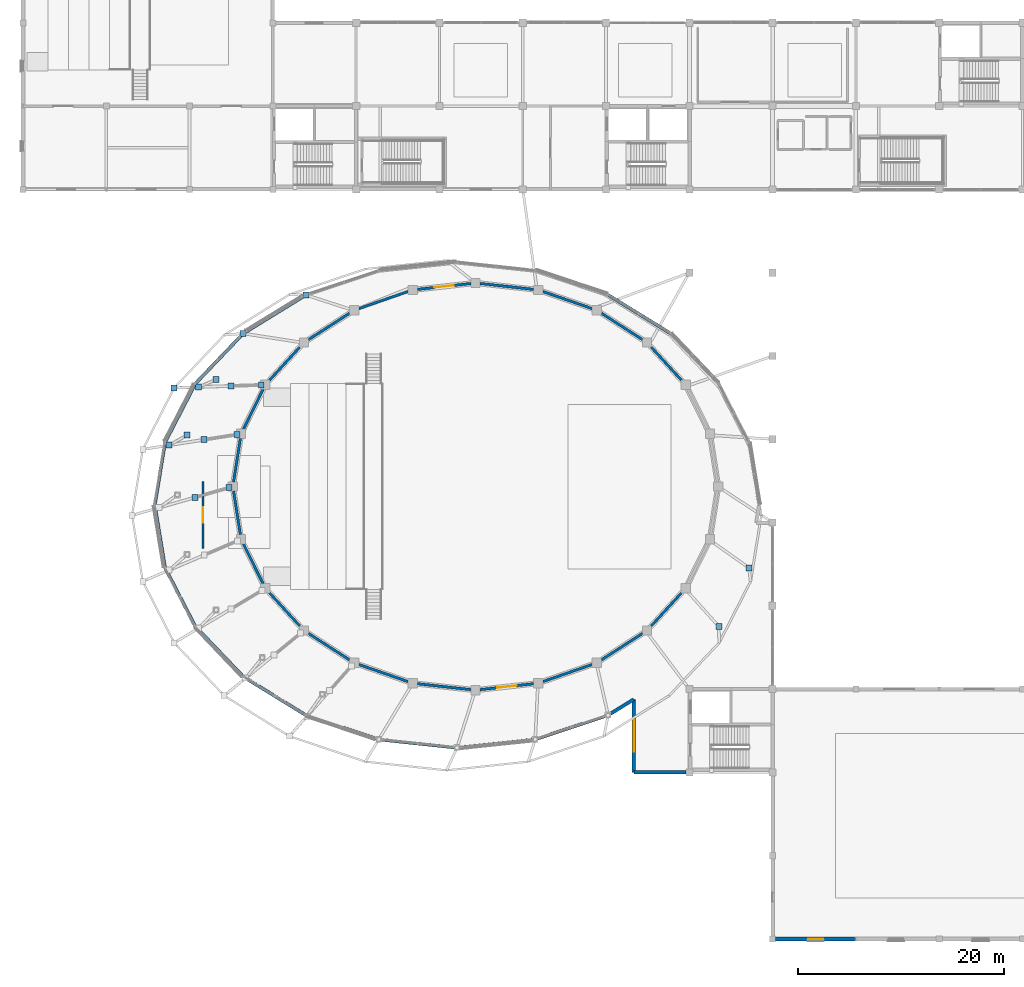
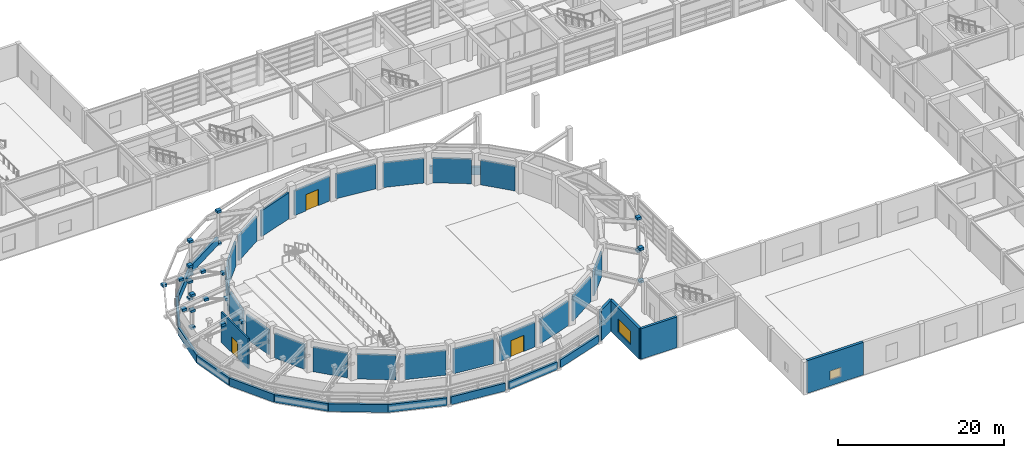
# One storey, part 36 of 56: 38 walls, 23 plates, 3 doors, 2 windows, 5 openings.
"""IFC4 building model written with IfcOpenShell, lengths in metres."""

from ifc_helpers import new_model, si_unit, direction, frame, frame_2d, origin, origin_2d, place, context, subcontext, project, spatial, rectangle, extrude, material, layer, layer_set, type_object, element, fill, save


model = new_model("IFC4")

# Units and contexts
model_context = context("Model", 3, precision=1e-05, world=origin(), true_north=direction((0.0, 1.0)))
body_context = subcontext(model_context, "Body", "Model", "MODEL_VIEW")
ifc_project = project(units=[si_unit("LENGTHUNIT", "METRE"), si_unit("AREAUNIT", "SQUARE_METRE"), si_unit("VOLUMEUNIT", "CUBIC_METRE"), si_unit("PLANEANGLEUNIT", "RADIAN"), si_unit("MASSUNIT", "GRAM", prefix="KILO")], contexts=[model_context])

# Site, building, storey
site_placement = place(None, origin())
site = spatial("IfcSite", under=ifc_project, at=site_placement, CompositionType="ELEMENT")
building_placement = place(site_placement, origin())
building = spatial("IfcBuilding", under=site, at=building_placement, Name="Parian Resonance Hall", CompositionType="ELEMENT")
storey_placement = place(building_placement, frame((0.0, 0.0, 5.39990234375)))
storey = spatial("IfcBuildingStorey", under=building, at=storey_placement, Name="L01", CompositionType="ELEMENT", Elevation=5.39990234375)

# Plates
ifc_material_1 = material(Name="Steel S355", Category="steel")
ifc_layer_1 = layer(ifc_material_1, 0.340087890625)
ifc_layer_set_1 = layer_set([ifc_layer_1], Name="Steel S355")
plate_type_1 = type_object("IfcPlateType", Name="PLT-CAP-500", PredefinedType="SHEET", material=ifc_layer_set_1)
for number, where, z_axis, x_axis, name in (
    (1, (15.9609375, 48.998046875, 2.3369140625), (0.0, 0.0, 1.0), (1.0, 0.0, 0.0), "Steel hollow-section node closure block 0042"),
    (2, (15.9609375, 48.998046875, 4.6298828125), (0.0, 0.0, 1.0), (1.0, 0.0, 0.0), "Steel hollow-section node closure block 0043"),
    (3, (17.60107421875, 48.556884765625, 3.68701171875), (0.0, 0.0, 1.0), (1.0, 0.0, 0.0), "Steel hollow-section node closure block 0052"),
    (4, (18.778076171875, 54.39990234375, -0.169921875), (0.0, 0.0, 1.0), (1.0, 0.0, 0.0), "Steel hollow-section node closure block 0060"),
    (5, (18.778076171875, 54.39990234375, 2.3369140625), (0.0, 0.0, 1.0), (1.0, 0.0, 0.0), "Steel hollow-section node closure block 0061"),
    (6, (20.014892578125, 43.889892578125, 2.3369140625), (0.0, 0.0, 1.0), (1.0, 0.0, 0.0), "Steel hollow-section node closure block 0070"),
    (7, (20.199951171875, 53.785888671875, 3.68701171875), (0.0, 0.0, 1.0), (1.0, 0.0, 0.0), "Steel hollow-section node closure block 0072"),
    (8, (20.80908203125, 49.06201171875, 2.3369140625), (0.0, 0.0, 1.0), (1.0, 0.0, 0.0), "Steel hollow-section node closure block 0075"),
    (9, (21.410888671875, 58.887939453125, -0.169921875), (0.0, 0.0, 1.0), (1.0, 0.0, 0.0), "Steel hollow-section node closure block 0079"),
    (10, (23.162109375, 53.885986328125, 2.3369140625), (0.0, 0.0, 1.0), (1.0, 0.0, 0.0), "Steel hollow-section node closure block 0084"),
    (11, (27.5, 62.637939453125, 4.6298828125), (0.0, 0.0, 1.0), (1.0, 0.0, 0.0), "Steel hollow-section node closure block 0108"),
    (12, (67.660888671875, 30.39990234375, -0.169921875), (0.0, 0.0, 1.0), (1.0, 0.0, 0.0), "Steel hollow-section node closure block 0274"),
    (13, (70.597900390625, 36.092041015625, -0.169921875), (0.0, 0.0, 1.0), (1.0, 0.0, 0.0), "Steel hollow-section node closure block 0277"),
):
    element("IfcPlate", number, at=place(storey_placement, frame(where, z_axis=z_axis, x_axis=x_axis)), inside=storey, type_object=plate_type_1, Name=name, PredefinedType="SHEET", context=body_context, shape_type="SweptSolid", body=[
        extrude(rectangle(XDim=0.580078125, YDim=0.580078125, at=origin_2d()), origin(), (0.0, 0.0, 1.0), 0.340087890625),
    ])
ifc_material_2 = material(Name="Steel S355", Category="steel")
ifc_layer_2 = layer(ifc_material_2, 0.360107421875)
ifc_layer_set_2 = layer_set([ifc_layer_2], Name="Steel S355")
plate_type_2 = type_object("IfcPlateType", Name="PLT-GUS-520", PredefinedType="USERDEFINED", material=ifc_layer_set_2)
for number, where, z_axis, x_axis, name in (
    (14, (14.208984375, 48.02294921875, 3.67724609375), (0.0, 0.0, 1.0), (1.0, 0.0, 0.0), "Steel hollow-section node closure block 0023"),
    (15, (14.699951171875, 53.60009765625, 3.67724609375), (0.0, 0.0, 1.0), (1.0, 0.0, 0.0), "Steel hollow-section node closure block 0026"),
    (16, (15.9609375, 48.998046875, -0.18017578125), (0.0, 0.0, 1.0), (1.0, 0.0, 0.0), "Steel hollow-section node closure block 0041"),
    (17, (16.719970703125, 42.948974609375, 3.67724609375), (0.0, 0.0, 1.0), (1.0, 0.0, 0.0), "Steel hollow-section node closure block 0047"),
    (18, (17.069091796875, 53.679931640625, 3.67724609375), (0.0, 0.0, 1.0), (1.0, 0.0, 0.0), "Steel hollow-section node closure block 0050"),
    (19, (18.778076171875, 54.39990234375, 4.6201171875), (0.0, 0.0, 1.0), (1.0, 0.0, 0.0), "Steel hollow-section node closure block 0062"),
    (20, (21.410888671875, 58.887939453125, 4.6201171875), (0.0, 0.0, 1.0), (1.0, 0.0, 0.0), "Steel hollow-section node closure block 0080"),
    (21, (27.5, 62.637939453125, -0.18017578125), (0.0, 0.0, 1.0), (1.0, 0.0, 0.0), "Steel hollow-section node closure block 0107"),
    (22, (67.660888671875, 30.39990234375, 4.6201171875), (0.0, 0.0, 1.0), (1.0, 0.0, 0.0), "Steel hollow-section node closure block 0275"),
    (23, (70.597900390625, 36.092041015625, 4.6201171875), (0.0, 0.0, 1.0), (1.0, 0.0, 0.0), "Steel hollow-section node closure block 0278"),
):
    element("IfcPlate", number, at=place(storey_placement, frame(where, z_axis=z_axis, x_axis=x_axis)), inside=storey, type_object=plate_type_2, Name=name, ObjectType="GUSSET PLATE", PredefinedType="USERDEFINED", context=body_context, shape_type="SweptSolid", body=[
        extrude(rectangle(XDim=0.580078125, YDim=0.580078125, at=origin_2d()), origin(), (0.0, 0.0, 1.0), 0.360107421875),
    ])

# Walls
ifc_material_3 = material(Name="Concrete C35/45 with white lime plaster and polychrome mosaic", Category="concrete")
ifc_layer_3 = layer(ifc_material_3, 0.320068359375)
ifc_layer_set_3 = layer_set([ifc_layer_3], Name="Concrete C35/45 with white lime plaster and polychrome mosaic")
wall_type_1 = type_object("IfcWallType", Name="EW-RING-320", PredefinedType="SOLIDWALL", material=ifc_layer_set_3)
wall_1_placement = place(storey_placement, frame((56.89990234375, 62.63818359375, 0.0), z_axis=(0.0, 0.0, 1.0), x_axis=(0.851449608459, -0.52443642537, 0.0)))
element("IfcWall", 24, at=wall_1_placement, inside=storey, type_object=wall_type_1, Name="Elliptical R1 mosaic spandrel wall 04", PredefinedType="SOLIDWALL", context=body_context, shape_type="SweptSolid", body=[
    extrude(rectangle(XDim=7.1513671875, YDim=0.320068359375, at=frame_2d((3.57568359375, 0.0))), origin(), (0.0, 0.0, 1.0), 1.150146484375),
])
wall_2_placement = place(storey_placement, frame((21.6396484375, 59.0283203125, 0.0), z_axis=(0.0, 0.0, 1.0), x_axis=(0.851422518295, 0.524480405106, 0.0)))
element("IfcWall", 25, at=wall_2_placement, inside=storey, type_object=wall_type_1, Name="Elliptical R1 mosaic spandrel wall 09", PredefinedType="SOLIDWALL", context=body_context, shape_type="SweptSolid", body=[
    extrude(rectangle(XDim=6.614501953125, YDim=0.320068359375, at=frame_2d((3.30712890625, 0.0))), origin(), (0.0, 0.0, 1.0), 1.150146484375),
])
wall_3_placement = place(storey_placement, frame((16.739013671875, 54.0, 0.0), z_axis=(0.0, 0.0, 1.0), x_axis=(0.690980079771, 0.722873799055, 0.0)))
element("IfcWall", 26, at=wall_3_placement, inside=storey, type_object=wall_type_1, Name="Elliptical R1 mosaic spandrel wall 10", PredefinedType="SOLIDWALL", context=body_context, shape_type="SweptSolid", body=[
    extrude(rectangle(XDim=6.4453125, YDim=0.320068359375, at=frame_2d((3.22265625, 0.0))), origin(), (0.0, 0.0, 1.0), 1.150146484375),
])
wall_4_placement = place(storey_placement, frame((13.8017578125, 48.30810546875, 0.0), z_axis=(0.0, 0.0, 1.0), x_axis=(0.458581750342, 0.888652225707, 0.0)))
element("IfcWall", 27, at=wall_4_placement, inside=storey, type_object=wall_type_1, Name="Elliptical R1 mosaic spandrel wall 11", PredefinedType="SOLIDWALL", context=body_context, shape_type="SweptSolid", body=[
    extrude(rectangle(XDim=6.405029296875, YDim=0.320068359375, at=frame_2d((3.20263671875, 0.0))), origin(), (0.0, 0.0, 1.0), 1.150146484375),
])
for number, where, z_axis, x_axis, name in (
    (28, (12.800048828125, 42.199951171875, 0.0), (0.0, 0.0, 1.0), (0.161833587027, 0.986818063328, 0.0), "Elliptical R1 mosaic spandrel wall 12"),
    (29, (13.8017578125, 36.091796875, 0.0), (0.0, 0.0, 1.0), (-0.161833587027, 0.986818063328, 0.0), "Elliptical R1 mosaic spandrel wall 13"),
):
    element("IfcWall", number, at=place(storey_placement, frame(where, z_axis=z_axis, x_axis=x_axis)), inside=storey, type_object=wall_type_1, Name=name, PredefinedType="SOLIDWALL", context=body_context, shape_type="SweptSolid", body=[
        extrude(rectangle(XDim=6.189697265625, YDim=0.320068359375, at=frame_2d((3.0947265625, 0.0))), origin(), (0.0, 0.0, 1.0), 1.150146484375),
    ])
wall_5_placement = place(storey_placement, frame((16.739013671875, 30.39990234375, 0.0), z_axis=(0.0, 0.0, 1.0), x_axis=(-0.458581750342, 0.888652225707, 0.0)))
element("IfcWall", 30, at=wall_5_placement, inside=storey, type_object=wall_type_1, Name="Elliptical R1 mosaic spandrel wall 14", PredefinedType="SOLIDWALL", context=body_context, shape_type="SweptSolid", body=[
    extrude(rectangle(XDim=6.405029296875, YDim=0.320068359375, at=frame_2d((3.20263671875, 0.0))), origin(), (0.0, 0.0, 1.0), 1.150146484375),
])
wall_6_placement = place(storey_placement, frame((21.4111328125, 25.51220703125, 0.0), z_axis=(0.0, 0.0, 1.0), x_axis=(-0.690985683524, 0.722868442502, 0.0)))
element("IfcWall", 31, at=wall_6_placement, inside=storey, type_object=wall_type_1, Name="Elliptical R1 mosaic spandrel wall 15", PredefinedType="SOLIDWALL", context=body_context, shape_type="SweptSolid", body=[
    extrude(rectangle(XDim=6.761474609375, YDim=0.320068359375, at=frame_2d((3.380859375, 0.0))), origin(), (0.0, 0.0, 1.0), 1.150146484375),
])
wall_7_placement = place(storey_placement, frame((27.5, 21.76171875, 0.0), z_axis=(0.0, 0.0, 1.0), x_axis=(-0.851440218802, 0.524451669657, 0.0)))
element("IfcWall", 32, at=wall_7_placement, inside=storey, type_object=wall_type_1, Name="Elliptical R1 mosaic spandrel wall 16", PredefinedType="SOLIDWALL", context=body_context, shape_type="SweptSolid", body=[
    extrude(rectangle(XDim=7.1513671875, YDim=0.320068359375, at=frame_2d((3.57568359375, 0.0))), origin(), (0.0, 0.0, 1.0), 1.150146484375),
])
wall_8_placement = place(storey_placement, frame((34.3623046875, 19.480224609375, 0.0), z_axis=(0.0, 0.0, 1.0), x_axis=(-0.948929458827, 0.315488323351, 0.0)))
element("IfcWall", 33, at=wall_8_placement, inside=storey, type_object=wall_type_1, Name="Elliptical R1 mosaic spandrel wall 17", PredefinedType="SOLIDWALL", context=body_context, shape_type="SweptSolid", body=[
    extrude(rectangle(XDim=7.231689453125, YDim=0.320068359375, at=frame_2d((3.61572265625, 0.0))), origin(), (0.0, 0.0, 1.0), 1.150146484375),
])
for number, where, z_axis, x_axis, name in (
    (34, (41.971435546875, 18.6240234375, 0.0), (0.0, 0.0, 1.0), (-0.994458667744, 0.10512829376, 0.0), "Elliptical R1 mosaic spandrel wall 18"),
    (35, (49.580810546875, 19.380126953125, 0.0), (0.0, 0.0, 1.0), (-0.994458667744, -0.10512829376, 0.0), "Elliptical R1 mosaic spandrel wall 19"),
):
    element("IfcWall", number, at=place(storey_placement, frame(where, z_axis=z_axis, x_axis=x_axis)), inside=storey, type_object=wall_type_1, Name=name, PredefinedType="SOLIDWALL", context=body_context, shape_type="SweptSolid", body=[
        extrude(rectangle(XDim=7.192138671875, YDim=0.320068359375, at=frame_2d((3.59619140625, 0.0))), origin(), (0.0, 0.0, 1.0), 1.150146484375),
    ])
wall_9_placement = place(storey_placement, frame((56.67138671875, 21.685791015625, 0.0), z_axis=(0.0, 0.0, 1.0), x_axis=(-0.948923999216, -0.315504744357, 0.0)))
element("IfcWall", 36, at=wall_9_placement, inside=storey, type_object=wall_type_1, Name="Elliptical R1 mosaic spandrel wall 20", PredefinedType="SOLIDWALL", context=body_context, shape_type="SweptSolid", body=[
    extrude(rectangle(XDim=6.990478515625, YDim=0.320068359375, at=frame_2d((3.4951171875, 0.0))), origin(), (0.0, 0.0, 1.0), 1.150146484375),
])
ifc_material_4 = material(Name="Concrete C35/45 with Carcar coral-limestone ashlar", Category="masonry")
ifc_layer_4 = layer(ifc_material_4, 0.340087890625)
ifc_layer_set_4 = layer_set([ifc_layer_4], Name="Concrete C35/45 with Carcar coral-limestone ashlar")
wall_type_2 = type_object("IfcWallType", Name="EW-STONE-340", PredefinedType="SOLIDWALL", material=ifc_layer_set_4)
wall_10_placement = place(storey_placement, frame((57.12841796875, 21.90283203125, 0.0), z_axis=(0.0, 0.0, 1.0), x_axis=(0.851435152537, 0.524459894582, 0.0)))
element("IfcWall", 37, at=wall_10_placement, inside=storey, type_object=wall_type_2, Name="Perimeter closure wall L01", PredefinedType="SOLIDWALL", context=body_context, shape_type="SweptSolid", body=[
    extrude(rectangle(XDim=2.667724609375, YDim=0.340087890625, at=frame_2d((1.333984375, 0.0))), origin(), (0.0, 0.0, 1.0), 4.5),
])

# Wall, opening, window
wall_11_placement = place(storey_placement, frame((59.39990234375, 23.302001953125, 0.0), z_axis=(0.0, 0.0, 1.0), x_axis=(0.0, -1.0, 0.0)))
wall_11 = element("IfcWall", 38, at=wall_11_placement, inside=storey, type_object=wall_type_2, Name="Perimeter closure wall L01", PredefinedType="SOLIDWALL", context=body_context, shape_type="SweptSolid", body=[
    extrude(rectangle(XDim=7.10205078125, YDim=0.340087890625, at=frame_2d((3.551025390625, 0.0))), origin(), (0.0, 0.0, 1.0), 4.5),
])
opening_1_placement = place(wall_11_placement, frame((2.0009765625, 0.0, 0.89990234375)))
opening_1 = element("IfcOpeningElement", 39, at=opening_1_placement, cuts=wall_11, Name="Opening WN-50", PredefinedType="OPENING", context=body_context, shape_type="SweptSolid", body=[
    extrude(rectangle(XDim=3.10009765625, YDim=2.0, at=frame_2d((1.550048828125, 1.0))), frame((0.0, 0.179931640625, 0.0), z_axis=(0.0, -1.0, 0.0), x_axis=(1.0, 0.0, 0.0)), (0.0, 0.0, 1.0), 0.360107421875),
])
ifc_material_5 = material(Name="Acoustic laminated double glazing", Category="glass")
window_type_1 = type_object("IfcWindowType", Name="WIN-3100x2000", PartitioningType="SINGLE_PANEL", PredefinedType="WINDOW", material=ifc_material_5)
window_1_placement = place(opening_1_placement, origin())
window_1 = element("IfcWindow", 40, at=window_1_placement, inside=storey, type_object=window_type_1, Name="Acoustic window L01-0081", OverallHeight=2.0, OverallWidth=3.10009765625, PartitioningType="SINGLE_PANEL", PredefinedType="WINDOW", context=body_context, shape_type="SweptSolid", body=[
    extrude(rectangle(XDim=3.10009765625, YDim=2.0, at=frame_2d((1.550048828125, 1.0))), frame((0.0, 0.030029296875, 0.0), z_axis=(0.0, -1.0, 0.0), x_axis=(1.0, 0.0, 0.0)), (0.0, 0.0, 1.0), 0.06005859375),
])
fill(opening_1, window_1)

# Wall
wall_12_placement = place(storey_placement, frame((59.39990234375, 16.199951171875, 0.0), z_axis=(0.0, 0.0, 1.0), x_axis=(1.0, 0.0, 0.0)))
element("IfcWall", 41, at=wall_12_placement, inside=storey, type_object=wall_type_2, Name="Perimeter closure wall L01", PredefinedType="SOLIDWALL", context=body_context, shape_type="SweptSolid", body=[
    extrude(rectangle(XDim=5.050048828125, YDim=0.340087890625, at=frame_2d((2.52490234375, 0.0))), origin(), (0.0, 0.0, 1.0), 4.5),
])

# Wall, opening, window
ifc_material_6 = material(Name="Concrete C35/45 with Carcar coral-limestone ashlar", Category="masonry")
ifc_layer_5 = layer(ifc_material_6, 0.360107421875)
ifc_layer_set_5 = layer_set([ifc_layer_5], Name="Concrete C35/45 with Carcar coral-limestone ashlar")
wall_type_3 = type_object("IfcWallType", Name="EW-STONE-360", PredefinedType="SOLIDWALL", material=ifc_layer_set_5)
wall_13_placement = place(storey_placement, frame((81.0, 0.0, 0.0), z_axis=(0.0, 0.0, 1.0), x_axis=(-1.0, 0.0, 0.0)))
wall_13 = element("IfcWall", 42, at=wall_13_placement, inside=storey, type_object=wall_type_3, Name="Exterior wall EW-L01-0125", PredefinedType="SOLIDWALL", context=body_context, shape_type="SweptSolid", body=[
    extrude(rectangle(XDim=7.800048828125, YDim=0.360107421875, at=frame_2d((3.89990234375, 0.0))), origin(), (0.0, 0.0, 1.0), 4.800048828125),
])
opening_2_placement = place(wall_13_placement, frame((3.175048828125, 0.0, 0.89990234375)))
opening_2 = element("IfcOpeningElement", 43, at=opening_2_placement, cuts=wall_13, Name="Opening WN-20", PredefinedType="OPENING", context=body_context, shape_type="SweptSolid", body=[
    extrude(rectangle(XDim=1.449951171875, YDim=1.300048828125, at=frame_2d((0.72509765625, 0.64990234375))), frame((0.0, 0.18994140625, 0.0), z_axis=(0.0, -1.0, 0.0), x_axis=(1.0, 0.0, 0.0)), (0.0, 0.0, 1.0), 0.380126953125),
])
ifc_material_7 = material(Name="Acoustic laminated double glazing", Category="glass")
window_type_2 = type_object("IfcWindowType", Name="WIN-1450x1300", PartitioningType="SINGLE_PANEL", PredefinedType="WINDOW", material=ifc_material_7)
window_2_placement = place(opening_2_placement, origin())
window_2 = element("IfcWindow", 44, at=window_2_placement, inside=storey, type_object=window_type_2, Name="Acoustic window L01-0019", OverallHeight=1.300048828125, OverallWidth=1.449951171875, PartitioningType="SINGLE_PANEL", PredefinedType="WINDOW", context=body_context, shape_type="SweptSolid", body=[
    extrude(rectangle(XDim=1.449951171875, YDim=1.300048828125, at=frame_2d((0.72509765625, 0.64990234375))), frame((0.0, 0.030029296875, 0.0), z_axis=(0.0, -1.0, 0.0), x_axis=(1.0, 0.0, 0.0)), (0.0, 0.0, 1.0), 0.06005859375),
])
fill(opening_2, window_2)

# Wall, opening, door
ifc_material_8 = material(Name="Concrete C35/45 fire barrier", Category="concrete")
ifc_layer_6 = layer(ifc_material_8, 0.199951171875)
ifc_layer_set_6 = layer_set([ifc_layer_6], Name="Concrete C35/45 fire barrier")
wall_type_4 = type_object("IfcWallType", Name="FW200", PredefinedType="PARTITIONING", material=ifc_layer_set_6)
wall_14_placement = place(storey_placement, frame((17.5, 38.0, 0.0), z_axis=(0.0, 0.0, 1.0), x_axis=(0.0, 1.0, 0.0)))
wall_14 = element("IfcWall", 45, at=wall_14_placement, inside=storey, type_object=wall_type_4, Name="Foyer acoustic sound-lock screen IW-VEST-L01-01", PredefinedType="PARTITIONING", context=body_context, shape_type="SweptSolid", body=[
    extrude(rectangle(XDim=6.5, YDim=0.199951171875, at=frame_2d((3.25, 0.0))), origin(), (0.0, 0.0, 1.0), 4.4501953125),
])
opening_3_placement = place(wall_14_placement, frame((2.489990234375, 0.0, 0.0)))
opening_3 = element("IfcOpeningElement", 46, at=opening_3_placement, cuts=wall_14, Name="Opening ID-24", PredefinedType="OPENING", context=body_context, shape_type="SweptSolid", body=[
    extrude(rectangle(XDim=1.52001953125, YDim=2.320068359375, at=frame_2d((0.760009765625, 1.16015625))), frame((0.0, 0.10986328125, 0.0), z_axis=(0.0, -1.0, 0.0), x_axis=(1.0, 0.0, 0.0)), (0.0, 0.0, 1.0), 0.219970703125),
])
ifc_material_9 = material(Name="Fire-rated acoustic steel and narra timber door", Category="steel")
door_type_1 = type_object("IfcDoorType", Name="ID-PLT-1520x2320", OperationType="NOTDEFINED", PredefinedType="DOOR", material=ifc_material_9)
door_1_placement = place(opening_3_placement, origin())
door_1 = element("IfcDoor", 47, at=door_1_placement, inside=storey, type_object=door_type_1, Name="Foyer acoustic vestibule door ID-PLT-1520x2320", OperationType="SINGLE_SWING_LEFT", OverallHeight=2.320068359375, OverallWidth=1.52001953125, PredefinedType="DOOR", context=body_context, shape_type="SweptSolid", body=[
    extrude(rectangle(XDim=1.52001953125, YDim=2.320068359375, at=frame_2d((0.760009765625, 1.16015625))), frame((0.0, 0.02490234375, 0.0), z_axis=(0.0, -1.0, 0.0), x_axis=(1.0, 0.0, 0.0)), (0.0, 0.0, 1.0), 0.050048828125),
])
fill(opening_3, door_1)

# Walls
ifc_material_10 = material(Name="Concrete C35/45 fire barrier", Category="concrete")
ifc_layer_7 = layer(ifc_material_10, 0.25)
ifc_layer_set_7 = layer_set([ifc_layer_7], Name="Concrete C35/45 fire barrier")
wall_type_5 = type_object("IfcWallType", Name="HW250", PredefinedType="SOLIDWALL", material=ifc_layer_set_7)
wall_15_placement = place(storey_placement, frame((61.099365234375, 57.55078125, 0.0), z_axis=(0.0, 0.0, 1.0), x_axis=(0.674883067273, -0.737924688236, 0.0)))
element("IfcWall", 48, at=wall_15_placement, inside=storey, type_object=wall_type_5, Name="Main Concert Hall acoustic drum wall L01-03", PredefinedType="SOLIDWALL", context=body_context, shape_type="SweptSolid", body=[
    extrude(rectangle(XDim=4.33740234375, YDim=0.25, at=frame_2d((2.168701171875, 0.0))), origin(), (0.0, 0.0, 1.0), 3.6240234375),
])
wall_16_placement = place(storey_placement, frame((56.25, 60.857666015625, 0.0), z_axis=(0.0, 0.0, 1.0), x_axis=(0.840813675954, -0.541324636729, 0.0)))
element("IfcWall", 49, at=wall_16_placement, inside=storey, type_object=wall_type_5, Name="Main Concert Hall acoustic drum wall L01-04", PredefinedType="SOLIDWALL", context=body_context, shape_type="SweptSolid", body=[
    extrude(rectangle(XDim=4.74267578125, YDim=0.25, at=frame_2d((2.371337890625, 0.0))), origin(), (0.0, 0.0, 1.0), 3.6240234375),
])
wall_17_placement = place(storey_placement, frame((50.55810546875, 62.968994140625, 0.0), z_axis=(0.0, 0.0, 1.0), x_axis=(0.944588302148, -0.32825742862, 0.0)))
element("IfcWall", 50, at=wall_17_placement, inside=storey, type_object=wall_type_5, Name="Main Concert Hall acoustic drum wall L01-05", PredefinedType="SOLIDWALL", context=body_context, shape_type="SweptSolid", body=[
    extrude(rectangle(XDim=5.072998046875, YDim=0.25, at=frame_2d((2.53662109375, 0.0))), origin(), (0.0, 0.0, 1.0), 3.6240234375),
])
wall_18_placement = place(storey_placement, frame((44.449951171875, 63.750244140625, 0.0), z_axis=(0.0, 0.0, 1.0), x_axis=(0.993956813629, -0.10977182079, 0.0)))
element("IfcWall", 51, at=wall_18_placement, inside=storey, type_object=wall_type_5, Name="Main Concert Hall acoustic drum wall L01-06", PredefinedType="SOLIDWALL", context=body_context, shape_type="SweptSolid", body=[
    extrude(rectangle(XDim=5.239990234375, YDim=0.25, at=frame_2d((2.6201171875, 0.0))), origin(), (0.0, 0.0, 1.0), 3.6240234375),
])

# Wall, opening, door
wall_19_placement = place(storey_placement, frame((38.341796875, 63.175048828125, 0.0), z_axis=(0.0, 0.0, 1.0), x_axis=(0.993956813629, 0.10977182079, 0.0)))
wall_19 = element("IfcWall", 52, at=wall_19_placement, inside=storey, type_object=wall_type_5, Name="Main Concert Hall acoustic drum wall L01-07", PredefinedType="SOLIDWALL", context=body_context, shape_type="SweptSolid", body=[
    extrude(rectangle(XDim=5.239990234375, YDim=0.25, at=frame_2d((2.6201171875, 0.0))), origin(), (0.0, 0.0, 1.0), 3.6240234375),
])
opening_4_placement = place(wall_19_placement, frame((1.669921875, 0.0, 0.0)))
opening_4 = element("IfcOpeningElement", 53, at=opening_4_placement, cuts=wall_19, Name="Opening ID-03", PredefinedType="OPENING", context=body_context, shape_type="SweptSolid", body=[
    extrude(rectangle(XDim=1.89990234375, YDim=2.39990234375, at=frame_2d((0.949951171875, 1.199951171875))), frame((0.0, 0.135009765625, 0.0), z_axis=(0.0, -1.0, 0.0), x_axis=(1.0, 0.0, 0.0)), (0.0, 0.0, 1.0), 0.27001953125),
])
ifc_material_11 = material(Name="Fire-rated acoustic steel and narra timber door", Category="steel")
door_type_2 = type_object("IfcDoorType", Name="ID-HALL-1900x2400", OperationType="NOTDEFINED", PredefinedType="DOOR", material=ifc_material_11)
door_2_placement = place(opening_4_placement, origin())
door_2 = element("IfcDoor", 54, at=door_2_placement, inside=storey, type_object=door_type_2, Name="Main Concert Hall acoustic sound-lock door L01-07", OperationType="DOUBLE_DOOR_SINGLE_SWING", OverallHeight=2.39990234375, OverallWidth=1.89990234375, PredefinedType="DOOR", context=body_context, shape_type="SweptSolid", body=[
    extrude(rectangle(XDim=1.89990234375, YDim=2.39990234375, at=frame_2d((0.949951171875, 1.199951171875))), frame((0.0, 0.02490234375, 0.0), z_axis=(0.0, -1.0, 0.0), x_axis=(1.0, 0.0, 0.0)), (0.0, 0.0, 1.0), 0.050048828125),
])
fill(opening_4, door_2)

# Walls
wall_20_placement = place(storey_placement, frame((32.64990234375, 61.3037109375, 0.0), z_axis=(0.0, 0.0, 1.0), x_axis=(0.944588302148, 0.32825742862, 0.0)))
element("IfcWall", 55, at=wall_20_placement, inside=storey, type_object=wall_type_5, Name="Main Concert Hall acoustic drum wall L01-08", PredefinedType="SOLIDWALL", context=body_context, shape_type="SweptSolid", body=[
    extrude(rectangle(XDim=5.072998046875, YDim=0.25, at=frame_2d((2.53662109375, 0.0))), origin(), (0.0, 0.0, 1.0), 3.8310546875),
])
wall_21_placement = place(storey_placement, frame((27.76220703125, 58.290283203125, 0.0), z_axis=(0.0, 0.0, 1.0), x_axis=(0.840813675954, 0.541324636729, 0.0)))
element("IfcWall", 56, at=wall_21_placement, inside=storey, type_object=wall_type_5, Name="Main Concert Hall acoustic drum wall L01-09", PredefinedType="SOLIDWALL", context=body_context, shape_type="SweptSolid", body=[
    extrude(rectangle(XDim=4.74267578125, YDim=0.25, at=frame_2d((2.371337890625, 0.0))), origin(), (0.0, 0.0, 1.0), 3.6240234375),
])
wall_22_placement = place(storey_placement, frame((23.973388671875, 54.35009765625, 0.0), z_axis=(0.0, 0.0, 1.0), x_axis=(0.674883067273, 0.737924688236, 0.0)))
element("IfcWall", 57, at=wall_22_placement, inside=storey, type_object=wall_type_5, Name="Main Concert Hall acoustic drum wall L01-10", PredefinedType="SOLIDWALL", context=body_context, shape_type="SweptSolid", body=[
    extrude(rectangle(XDim=4.33740234375, YDim=0.25, at=frame_2d((2.168701171875, 0.0))), origin(), (0.0, 0.0, 1.0), 3.6240234375),
])
wall_23_placement = place(storey_placement, frame((21.426513671875, 49.57470703125, 0.0), z_axis=(0.0, 0.0, 1.0), x_axis=(0.44266592796, 0.896686609816, 0.0)))
element("IfcWall", 58, at=wall_23_placement, inside=storey, type_object=wall_type_5, Name="Main Concert Hall acoustic drum wall L01-11", PredefinedType="SOLIDWALL", context=body_context, shape_type="SweptSolid", body=[
    extrude(rectangle(XDim=4.32177734375, YDim=0.25, at=frame_2d((2.160888671875, 0.0))), origin(), (0.0, 0.0, 1.0), 3.6240234375),
])
for number, where, z_axis, x_axis, name in (
    (59, (20.470703125, 44.449951171875, 0.0), (0.0, 0.0, 1.0), (0.155003823242, 0.987913870122, 0.0), "Main Concert Hall acoustic drum wall L01-12"),
    (60, (21.133544921875, 39.325439453125, 0.0), (0.0, 0.0, 1.0), (-0.155003823242, 0.987913870122, 0.0), "Main Concert Hall acoustic drum wall L01-13"),
):
    element("IfcWall", number, at=place(storey_placement, frame(where, z_axis=z_axis, x_axis=x_axis)), inside=storey, type_object=wall_type_5, Name=name, PredefinedType="SOLIDWALL", context=body_context, shape_type="SweptSolid", body=[
        extrude(rectangle(XDim=4.2763671875, YDim=0.25, at=frame_2d((2.13818359375, 0.0))), origin(), (0.0, 0.0, 1.0), 3.6240234375),
    ])
wall_24_placement = place(storey_placement, frame((23.339599609375, 34.550048828125, 0.0), z_axis=(0.0, 0.0, 1.0), x_axis=(-0.44266592796, 0.896686609816, 0.0)))
element("IfcWall", 61, at=wall_24_placement, inside=storey, type_object=wall_type_5, Name="Main Concert Hall acoustic drum wall L01-14", PredefinedType="SOLIDWALL", context=body_context, shape_type="SweptSolid", body=[
    extrude(rectangle(XDim=4.32177734375, YDim=0.25, at=frame_2d((2.160888671875, 0.0))), origin(), (0.0, 0.0, 1.0), 3.6240234375),
])
wall_25_placement = place(storey_placement, frame((26.900634765625, 30.44921875, 0.0), z_axis=(0.0, 0.0, 1.0), x_axis=(-0.674883067273, 0.737924688236, 0.0)))
element("IfcWall", 62, at=wall_25_placement, inside=storey, type_object=wall_type_5, Name="Main Concert Hall acoustic drum wall L01-15", PredefinedType="SOLIDWALL", context=body_context, shape_type="SweptSolid", body=[
    extrude(rectangle(XDim=4.33740234375, YDim=0.25, at=frame_2d((2.168701171875, 0.0))), origin(), (0.0, 0.0, 1.0), 3.6240234375),
])
wall_26_placement = place(storey_placement, frame((31.75, 27.142333984375, 0.0), z_axis=(0.0, 0.0, 1.0), x_axis=(-0.840813675954, 0.541324636729, 0.0)))
element("IfcWall", 63, at=wall_26_placement, inside=storey, type_object=wall_type_5, Name="Main Concert Hall acoustic drum wall L01-16", PredefinedType="SOLIDWALL", context=body_context, shape_type="SweptSolid", body=[
    extrude(rectangle(XDim=4.74267578125, YDim=0.25, at=frame_2d((2.371337890625, 0.0))), origin(), (0.0, 0.0, 1.0), 3.6240234375),
])
wall_27_placement = place(storey_placement, frame((37.44189453125, 25.031005859375, 0.0), z_axis=(0.0, 0.0, 1.0), x_axis=(-0.944588302148, 0.32825742862, 0.0)))
element("IfcWall", 64, at=wall_27_placement, inside=storey, type_object=wall_type_5, Name="Main Concert Hall acoustic drum wall L01-17", PredefinedType="SOLIDWALL", context=body_context, shape_type="SweptSolid", body=[
    extrude(rectangle(XDim=5.072998046875, YDim=0.25, at=frame_2d((2.53662109375, 0.0))), origin(), (0.0, 0.0, 1.0), 3.6240234375),
])
wall_28_placement = place(storey_placement, frame((43.550048828125, 24.249755859375, 0.0), z_axis=(0.0, 0.0, 1.0), x_axis=(-0.993956813629, 0.10977182079, 0.0)))
element("IfcWall", 65, at=wall_28_placement, inside=storey, type_object=wall_type_5, Name="Main Concert Hall acoustic drum wall L01-18", PredefinedType="SOLIDWALL", context=body_context, shape_type="SweptSolid", body=[
    extrude(rectangle(XDim=5.239990234375, YDim=0.25, at=frame_2d((2.6201171875, 0.0))), origin(), (0.0, 0.0, 1.0), 3.6240234375),
])

# Wall, opening, door
wall_29_placement = place(storey_placement, frame((49.658203125, 24.824951171875, 0.0), z_axis=(0.0, 0.0, 1.0), x_axis=(-0.993956813629, -0.10977182079, 0.0)))
wall_29 = element("IfcWall", 66, at=wall_29_placement, inside=storey, type_object=wall_type_5, Name="Main Concert Hall acoustic drum wall L01-19", PredefinedType="SOLIDWALL", context=body_context, shape_type="SweptSolid", body=[
    extrude(rectangle(XDim=5.239990234375, YDim=0.25, at=frame_2d((2.6201171875, 0.0))), origin(), (0.0, 0.0, 1.0), 3.6240234375),
])
opening_5_placement = place(wall_29_placement, frame((1.669921875, 0.0, 0.0)))
opening_5 = element("IfcOpeningElement", 67, at=opening_5_placement, cuts=wall_29, Name="Opening ID-03", PredefinedType="OPENING", context=body_context, shape_type="SweptSolid", body=[
    extrude(rectangle(XDim=1.89990234375, YDim=2.39990234375, at=frame_2d((0.949951171875, 1.199951171875))), frame((0.0, 0.135009765625, 0.0), z_axis=(0.0, -1.0, 0.0), x_axis=(1.0, 0.0, 0.0)), (0.0, 0.0, 1.0), 0.27001953125),
])
door_3_placement = place(opening_5_placement, origin())
door_3 = element("IfcDoor", 68, at=door_3_placement, inside=storey, type_object=door_type_2, Name="Main Concert Hall acoustic sound-lock door L01-19", OperationType="DOUBLE_DOOR_SINGLE_SWING", OverallHeight=2.39990234375, OverallWidth=1.89990234375, PredefinedType="DOOR", context=body_context, shape_type="SweptSolid", body=[
    extrude(rectangle(XDim=1.89990234375, YDim=2.39990234375, at=frame_2d((0.949951171875, 1.199951171875))), frame((0.0, 0.02490234375, 0.0), z_axis=(0.0, -1.0, 0.0), x_axis=(1.0, 0.0, 0.0)), (0.0, 0.0, 1.0), 0.050048828125),
])
fill(opening_5, door_3)

# Walls
wall_30_placement = place(storey_placement, frame((55.35009765625, 26.6962890625, 0.0), z_axis=(0.0, 0.0, 1.0), x_axis=(-0.944588302148, -0.32825742862, 0.0)))
element("IfcWall", 69, at=wall_30_placement, inside=storey, type_object=wall_type_5, Name="Main Concert Hall acoustic drum wall L01-20", PredefinedType="SOLIDWALL", context=body_context, shape_type="SweptSolid", body=[
    extrude(rectangle(XDim=5.072998046875, YDim=0.25, at=frame_2d((2.53662109375, 0.0))), origin(), (0.0, 0.0, 1.0), 3.6240234375),
])
wall_31_placement = place(storey_placement, frame((60.23779296875, 29.709716796875, 0.0), z_axis=(0.0, 0.0, 1.0), x_axis=(-0.840813675954, -0.541324636729, 0.0)))
element("IfcWall", 70, at=wall_31_placement, inside=storey, type_object=wall_type_5, Name="Main Concert Hall acoustic drum wall L01-21", PredefinedType="SOLIDWALL", context=body_context, shape_type="SweptSolid", body=[
    extrude(rectangle(XDim=4.74267578125, YDim=0.25, at=frame_2d((2.371337890625, 0.0))), origin(), (0.0, 0.0, 1.0), 3.6240234375),
])
wall_32_placement = place(storey_placement, frame((64.026611328125, 33.64990234375, 0.0), z_axis=(0.0, 0.0, 1.0), x_axis=(-0.674883067273, -0.737924688236, 0.0)))
element("IfcWall", 71, at=wall_32_placement, inside=storey, type_object=wall_type_5, Name="Main Concert Hall acoustic drum wall L01-22", PredefinedType="SOLIDWALL", context=body_context, shape_type="SweptSolid", body=[
    extrude(rectangle(XDim=4.33740234375, YDim=0.25, at=frame_2d((2.168701171875, 0.0))), origin(), (0.0, 0.0, 1.0), 3.6240234375),
])

save(model, "model.ifc")
